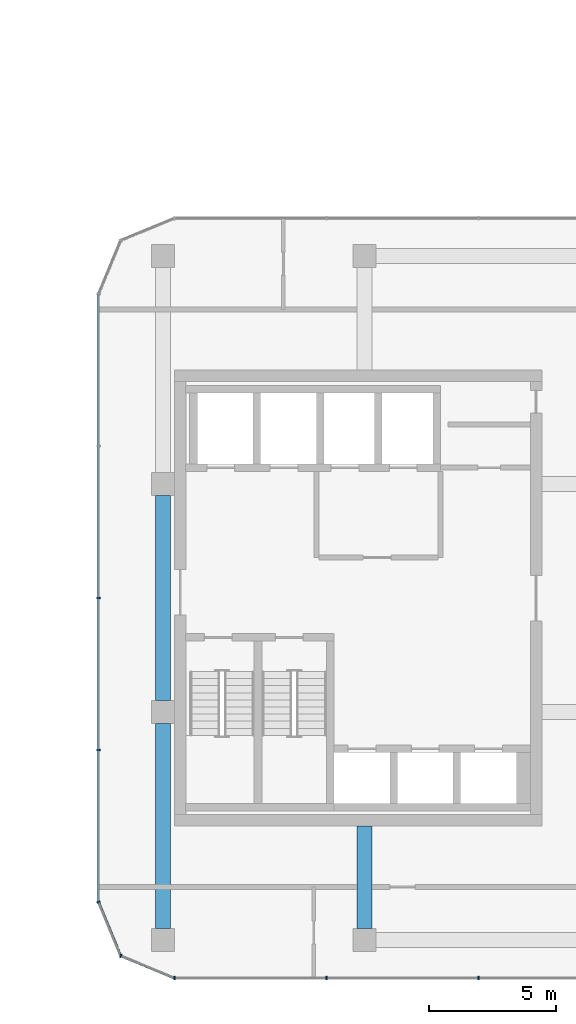
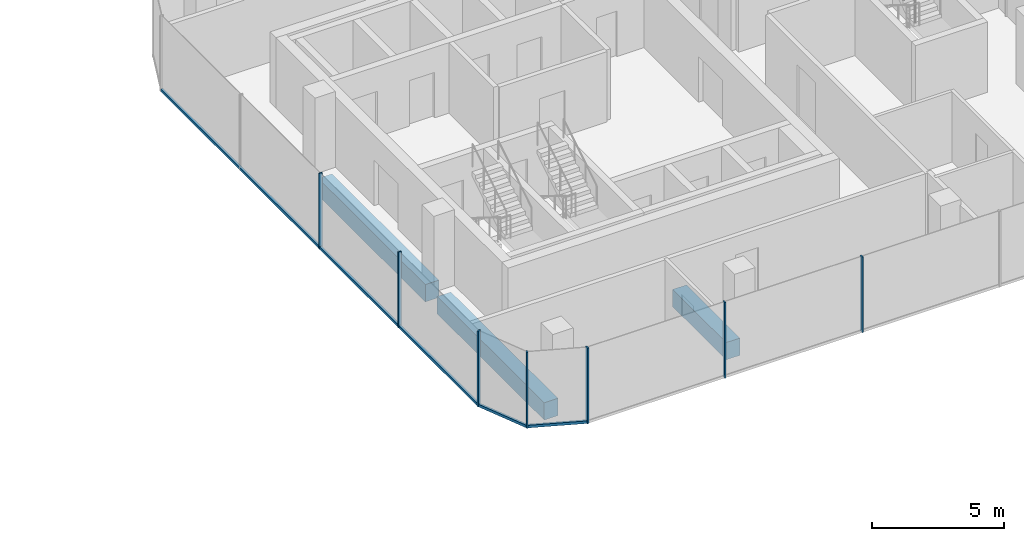
# One storey, part 7 of 23: 10 members, 3 beams, 4 elements without a shape of their own.
"""IFC4 building model written with IfcOpenShell, lengths in metres."""

from ifc_helpers import new_model, si_unit, direction, frame, origin, origin_2d, place, context, subcontext, project, spatial, rectangle, extrude, material, layer, layer_set, material_profile, profile_set, type_object, element, aggregate, save


model = new_model("IFC4")

# Units and contexts
model_context = context("Model", 3, precision=1e-05, world=origin(), true_north=direction((0.0, 1.0)))
body_context = subcontext(model_context, "Body", "Model", "MODEL_VIEW")
ifc_project = project(units=[si_unit("LENGTHUNIT", "METRE"), si_unit("AREAUNIT", "SQUARE_METRE"), si_unit("VOLUMEUNIT", "CUBIC_METRE"), si_unit("PLANEANGLEUNIT", "RADIAN"), si_unit("MASSUNIT", "GRAM", prefix="KILO")], contexts=[model_context])

# Site, building, storey
site_placement = place(None, origin())
site = spatial("IfcSite", under=ifc_project, at=site_placement, CompositionType="ELEMENT")
building_placement = place(site_placement, origin())
building = spatial("IfcBuilding", under=site, at=building_placement, Name="Plateau Cross Towers", CompositionType="ELEMENT")
storey_placement = place(building_placement, frame((0.0, 0.0, 88.800048828125)))
storey = spatial("IfcBuildingStorey", under=building, at=storey_placement, Name="L22", CompositionType="ELEMENT", Elevation=88.800048828125)

# Beam
ifc_material_1 = material(Name="Concrete C60/75", Category="concrete")
ifc_material_profile_1 = material_profile(ifc_material_1, rectangle(XDim=0.60009765625, YDim=0.800048828125, at=origin_2d()), Name="RC 600x800")
ifc_profile_set_1 = profile_set([ifc_material_profile_1], Name="Concrete C60/75")
beam_type_1 = type_object("IfcBeamType", Name="Core beam RC 600x800", PredefinedType="BEAM", material=ifc_profile_set_1)
beam_placement = place(storey_placement, frame((82.5, 0.0, -0.650146484375), z_axis=(0.0, -1.0, 0.0), x_axis=(1.0, 0.0, 0.0)))
element("IfcBeam", 1, at=beam_placement, inside=storey, type_object=beam_type_1, Name="B-CB01@L22", PredefinedType="BEAM", context=body_context, shape_type="SweptSolid", body=[
    extrude(rectangle(XDim=0.60009765625, YDim=0.800048828125, at=origin_2d()), origin(), (0.0, 0.0, 1.0), 4.050048828125),
])

# Curtain wall, members
ifc_material_2 = material(Name="Dark low-iron glass", Category="glass")
ifc_layer = layer(ifc_material_2, 0.239990234375)
ifc_layer_set = layer_set([ifc_layer], Name="Dark low-iron glass")
curtain_wall_type = type_object("IfcCurtainWallType", Name="Curtain wall office unitised CW-F", PredefinedType="NOTDEFINED", material=ifc_layer_set)
curtain_wall_1_placement = place(storey_placement, origin())
curtain_wall_1 = element("IfcCurtainWall", 2, at=curtain_wall_1_placement, inside=storey, type_object=curtain_wall_type, Name="ENV/B/L22/B750_-60", PredefinedType="NOTDEFINED")
ifc_material_3 = material(Name="Black anodised aluminium", Category="aluminium")
ifc_material_profile_2 = material_profile(ifc_material_3, rectangle(XDim=0.06005859375, YDim=0.139892578125, at=origin_2d()), Name="MULLION 60x140")
ifc_profile_set_2 = profile_set([ifc_material_profile_2], Name="Black anodised aluminium")
member_type_1 = type_object("IfcMemberType", Name="Mullion 60x140 office unitised", PredefinedType="MULLION", material=ifc_profile_set_2)
member_1_placement = place(storey_placement, frame((75.0, -6.0, -0.25), z_axis=(0.0, 0.0, 1.0), x_axis=(1.0, 0.0, 0.0)))
member_1 = element("IfcMember", 3, at=member_1_placement, type_object=member_type_1, Name="CW-F mullion 1", PredefinedType="MULLION", context=body_context, shape_type="SweptSolid", body=[
    extrude(rectangle(XDim=0.06005859375, YDim=0.139892578125, at=origin_2d()), origin(), (0.0, 0.0, 1.0), 3.5),
])
member_2_placement = place(storey_placement, frame((81.0, -6.0, -0.25), z_axis=(0.0, 0.0, 1.0), x_axis=(1.0, 0.0, 0.0)))
member_2 = element("IfcMember", 4, at=member_2_placement, type_object=member_type_1, Name="CW-F mullion 2", PredefinedType="MULLION", context=body_context, shape_type="SweptSolid", body=[
    extrude(rectangle(XDim=0.06005859375, YDim=0.139892578125, at=origin_2d()), origin(), (0.0, 0.0, 1.0), 3.5),
])
member_3_placement = place(storey_placement, frame((87.0, -6.0, -0.25), z_axis=(0.0, 0.0, 1.0), x_axis=(1.0, 0.0, 0.0)))
member_3 = element("IfcMember", 5, at=member_3_placement, type_object=member_type_1, Name="CW-F mullion 3", PredefinedType="MULLION", context=body_context, shape_type="SweptSolid", body=[
    extrude(rectangle(XDim=0.06005859375, YDim=0.139892578125, at=origin_2d()), origin(), (0.0, 0.0, 1.0), 3.5),
])
aggregate(curtain_wall_1, [member_1, member_2, member_3])

curtain_wall_2_placement = place(storey_placement, origin())
curtain_wall_2 = element("IfcCurtainWall", 6, at=curtain_wall_2_placement, inside=storey, type_object=curtain_wall_type, Name="ENV/B/L22/B720_210", PredefinedType="NOTDEFINED")
member_4_placement = place(storey_placement, frame((72.0, 9.0, -0.25), z_axis=(0.0, 0.0, 1.0), x_axis=(0.0, -1.0, 0.0)))
member_4 = element("IfcMember", 7, at=member_4_placement, type_object=member_type_1, Name="CW-F mullion 3", PredefinedType="MULLION", context=body_context, shape_type="SweptSolid", body=[
    extrude(rectangle(XDim=0.06005859375, YDim=0.139892578125, at=origin_2d()), origin(), (0.0, 0.0, 1.0), 3.5),
])
member_5_placement = place(storey_placement, frame((72.0, 3.0, -0.25), z_axis=(0.0, 0.0, 1.0), x_axis=(0.0, -1.0, 0.0)))
member_5 = element("IfcMember", 8, at=member_5_placement, type_object=member_type_1, Name="CW-F mullion 4", PredefinedType="MULLION", context=body_context, shape_type="SweptSolid", body=[
    extrude(rectangle(XDim=0.06005859375, YDim=0.139892578125, at=origin_2d()), origin(), (0.0, 0.0, 1.0), 3.5),
])

# Curtain wall, member
curtain_wall_3_placement = place(storey_placement, origin())
curtain_wall_3 = element("IfcCurtainWall", 9, at=curtain_wall_3_placement, inside=storey, type_object=curtain_wall_type, Name="ENV/B/L22/B720_-30", PredefinedType="NOTDEFINED")
member_6_placement = place(storey_placement, frame((72.0, -3.0, -0.25), z_axis=(0.0, 0.0, 1.0), x_axis=(0.382683612978, -0.923879457699, 0.0)))
member_6 = element("IfcMember", 10, at=member_6_placement, type_object=member_type_1, Name="CW-F mullion 1", PredefinedType="MULLION", context=body_context, shape_type="SweptSolid", body=[
    extrude(rectangle(XDim=0.06005859375, YDim=0.139892578125, at=origin_2d()), origin(), (0.0, 0.0, 1.0), 3.5),
])

curtain_wall_4_placement = place(storey_placement, origin())
curtain_wall_4 = element("IfcCurtainWall", 11, at=curtain_wall_4_placement, inside=storey, type_object=curtain_wall_type, Name="ENV/B/L22/B729_-51", PredefinedType="NOTDEFINED")
member_7_placement = place(storey_placement, frame((72.878662109375, -5.121337890625, -0.25), z_axis=(0.0, 0.0, 1.0), x_axis=(0.923879457699, -0.382683612978, 0.0)))
member_7 = element("IfcMember", 12, at=member_7_placement, type_object=member_type_1, Name="CW-F mullion 1", PredefinedType="MULLION", context=body_context, shape_type="SweptSolid", body=[
    extrude(rectangle(XDim=0.06005859375, YDim=0.139892578125, at=origin_2d()), origin(), (0.0, 0.0, 1.0), 3.5),
])

# Beams
ifc_material_profile_3 = material_profile(ifc_material_1, rectangle(XDim=0.60009765625, YDim=0.800048828125, at=origin_2d()), Name="RC 600x800")
ifc_profile_set_3 = profile_set([ifc_material_profile_3], Name="Concrete C60/75")
beam_type_2 = type_object("IfcBeamType", Name="Ring beam RC 600x800", PredefinedType="BEAM", material=ifc_profile_set_3)
for number, where, z_axis, x_axis, name in (
    (13, (74.550048828125, 13.050048828125, -0.650146484375), (0.0, -1.0, 0.0), (1.0, 0.0, 0.0), "B-RB09@L22"),
    (14, (74.550048828125, 4.050048828125, -0.650146484375), (0.0, -1.0, 0.0), (1.0, 0.0, 0.0), "B-RB10@L22"),
):
    element("IfcBeam", number, at=place(storey_placement, frame(where, z_axis=z_axis, x_axis=x_axis)), inside=storey, type_object=beam_type_2, Name=name, PredefinedType="BEAM", context=body_context, shape_type="SweptSolid", body=[
        extrude(rectangle(XDim=0.60009765625, YDim=0.800048828125, at=origin_2d()), origin(), (0.0, 0.0, 1.0), 8.10009765625),
    ])

# Member
ifc_material_profile_4 = material_profile(ifc_material_3, rectangle(XDim=0.10009765625, YDim=0.1201171875, at=origin_2d()), Name="TRANSOM 100x120")
ifc_profile_set_4 = profile_set([ifc_material_profile_4], Name="Black anodised aluminium")
member_type_2 = type_object("IfcMemberType", Name="Transom 100x120 office unitised", PredefinedType="USERDEFINED", material=ifc_profile_set_4)
member_8_placement = place(storey_placement, frame((72.0, 21.0, -0.18994140625), z_axis=(0.0, -1.0, 0.0), x_axis=(1.0, 0.0, 0.0)))
member_8 = element("IfcMember", 15, at=member_8_placement, type_object=member_type_2, Name="CW-F transom", ObjectType="TRANSOM", PredefinedType="USERDEFINED", context=body_context, shape_type="SweptSolid", body=[
    extrude(rectangle(XDim=0.10009765625, YDim=0.1201171875, at=origin_2d()), origin(), (0.0, 0.0, 1.0), 24.0),
])

aggregate(curtain_wall_2, [member_4, member_5, member_8])

member_9_placement = place(storey_placement, frame((72.0, -3.0, -0.18994140625), z_axis=(0.382674207535, -0.923883353507, 0.0), x_axis=(0.923883353507, 0.382674207535, 0.0)))
member_9 = element("IfcMember", 16, at=member_9_placement, type_object=member_type_2, Name="CW-F transom", ObjectType="TRANSOM", PredefinedType="USERDEFINED", context=body_context, shape_type="SweptSolid", body=[
    extrude(rectangle(XDim=0.10009765625, YDim=0.1201171875, at=origin_2d()), origin(), (0.0, 0.0, 1.0), 2.296142578125),
])

aggregate(curtain_wall_3, [member_6, member_9])

member_10_placement = place(storey_placement, frame((72.878662109375, -5.121337890625, -0.18994140625), z_axis=(0.923883353507, -0.382674207535, 0.0), x_axis=(0.382674207535, 0.923883353507, 0.0)))
member_10 = element("IfcMember", 17, at=member_10_placement, type_object=member_type_2, Name="CW-F transom", ObjectType="TRANSOM", PredefinedType="USERDEFINED", context=body_context, shape_type="SweptSolid", body=[
    extrude(rectangle(XDim=0.10009765625, YDim=0.1201171875, at=origin_2d()), origin(), (0.0, 0.0, 1.0), 2.296142578125),
])

aggregate(curtain_wall_4, [member_7, member_10])

save(model, "model.ifc")
